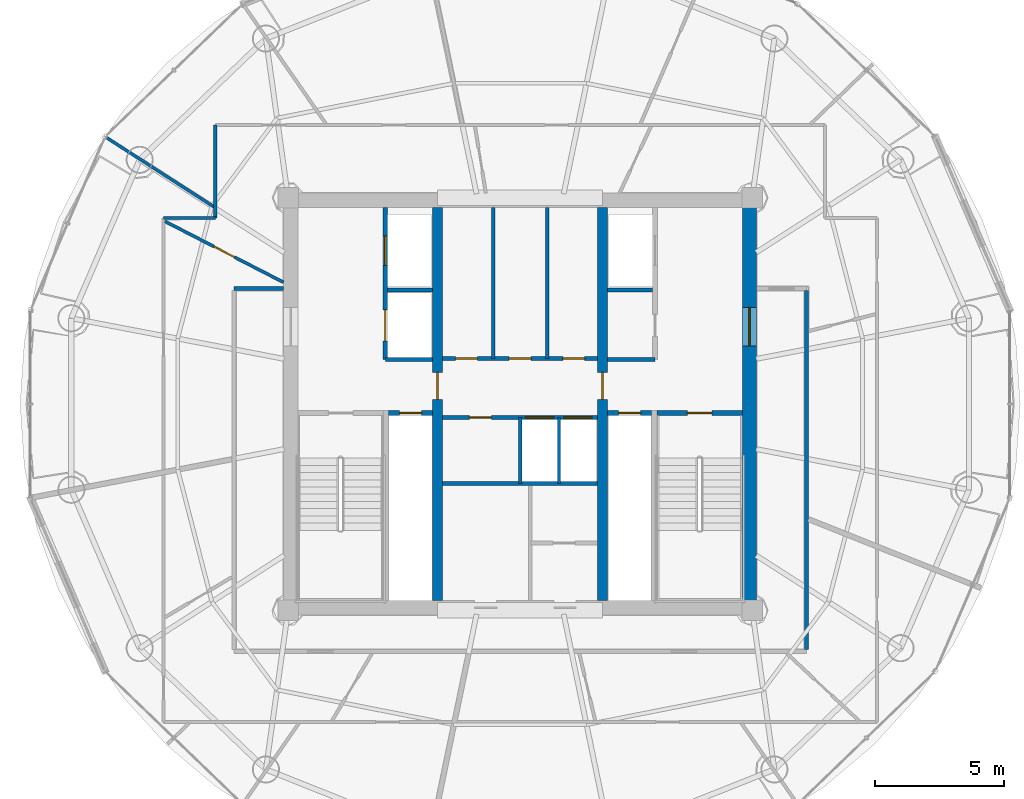
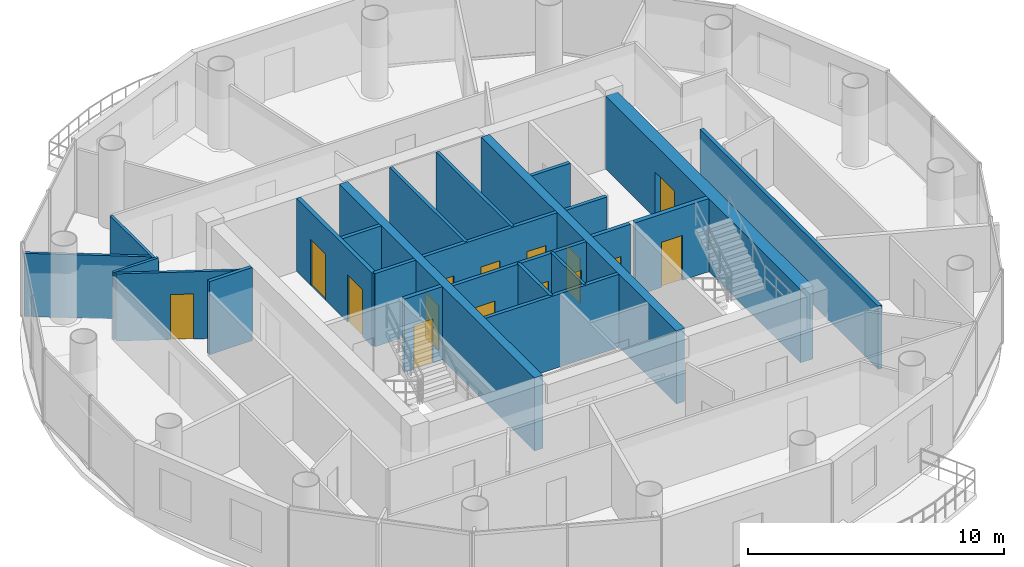
# One storey, part 18 of 23: 24 walls, 15 doors, 15 openings.
"""IFC4 building model written with IfcOpenShell, lengths in metres."""

from ifc_helpers import new_model, si_unit, direction, frame, frame_2d, origin, place, context, subcontext, project, spatial, rectangle, extrude, source, transform, mapped, material, layer, layer_set, type_object, element, fill, save


model = new_model("IFC4")

# Units and contexts
model_context = context("Model", 3, precision=1e-05, world=origin(), true_north=direction((-0.2419218956, 0.970295726276)))
body_context = subcontext(model_context, "Body", "Model", "MODEL_VIEW")
ifc_project = project(units=[si_unit("LENGTHUNIT", "METRE"), si_unit("AREAUNIT", "SQUARE_METRE"), si_unit("VOLUMEUNIT", "CUBIC_METRE"), si_unit("PLANEANGLEUNIT", "RADIAN"), si_unit("MASSUNIT", "GRAM", prefix="KILO")], contexts=[model_context])

# Site, building, storey
site_placement = place(None, origin())
site = spatial("IfcSite", under=ifc_project, at=site_placement, CompositionType="ELEMENT")
building_placement = place(site_placement, origin())
building = spatial("IfcBuilding", under=site, at=building_placement, Name="Cobrevalo Terracotta Tower", CompositionType="ELEMENT")
storey_placement = place(building_placement, frame((0.0, 0.0, 255.699951171875)))
storey = spatial("IfcBuildingStorey", under=building, at=storey_placement, Name="L67", CompositionType="ELEMENT", Elevation=255.699951171875)

# Wall, opening, door
ifc_material_1 = material(Name="Concrete C50", Category="concrete")
ifc_layer_1 = layer(ifc_material_1, 0.550048828125)
ifc_layer_set_1 = layer_set([ifc_layer_1], Name="Concrete C50")
wall_type_1 = type_object("IfcWallType", Name="Core shear wall 550 mm Concrete C50", PredefinedType="SHEAR", material=ifc_layer_set_1)
wall_1_placement = place(storey_placement, frame((46.89990234375, 19.175048828125, 0.0), z_axis=(0.0, 0.0, 1.0), x_axis=(0.0, 1.0, 0.0)))
wall_1 = element("IfcWall", 1, at=wall_1_placement, inside=storey, type_object=wall_type_1, Name="L67 east core shear wall", PredefinedType="SHEAR", context=body_context, shape_type="SweptSolid", body=[
    extrude(rectangle(XDim=15.25, YDim=0.550048828125, at=frame_2d((7.625, 0.0))), origin(), (0.0, 0.0, 1.0), 3.489990234375),
])
opening_1_placement = place(wall_1_placement, frame((9.875, 0.0, 0.0)))
opening_1 = element("IfcOpeningElement", 2, at=opening_1_placement, cuts=wall_1, Name="Opening ID-14", PredefinedType="OPENING", context=body_context, shape_type="SweptSolid", body=[
    extrude(rectangle(XDim=1.5, YDim=2.199951171875, at=frame_2d((0.75, 1.10009765625))), frame((0.0, 0.28515625, 0.0), z_axis=(0.0, -1.0, 0.0), x_axis=(1.0, 0.0, 0.0)), (0.0, 0.0, 1.0), 0.570068359375),
])
ifc_material_2 = material(Name="Galvanized fire-rated steel", Category="steel")
door_type_1 = type_object("IfcDoorType", Name="Core cross-lobby double fire door 1500x2200 EI 90", OperationType="NOTDEFINED", PredefinedType="DOOR", material=ifc_material_2)
shared_shape_1 = source(origin(), body_context, "Body", "SweptSolid", [
    extrude(rectangle(XDim=1.5, YDim=2.199951171875, at=frame_2d((0.75, 1.10009765625))), frame((0.0, 0.02490234375, 0.0), z_axis=(0.0, -1.0, 0.0), x_axis=(1.0, 0.0, 0.0)), (0.0, 0.0, 1.0), 0.050048828125),
])
door_1_placement = place(opening_1_placement, frame((1.5, 0.0, 0.0), z_axis=(0.0, 0.0, 1.0), x_axis=(-1.0, 0.0, 0.0)))
door_1 = element("IfcDoor", 3, at=door_1_placement, inside=storey, type_object=door_type_1, Name="L67 east firefighting lobby entrance door", OperationType="DOUBLE_DOOR_SINGLE_SWING", OverallHeight=2.199951171875, OverallWidth=1.5, PredefinedType="DOOR", context=body_context, shape_type="MappedRepresentation", body=[
    mapped(shared_shape_1, transform((0.0, 0.0, 0.0), scale=1.0)),
])
fill(opening_1, door_1)

# Walls
ifc_material_3 = material(Name="Gypsum board on steel stud", Category="steel")
ifc_layer_2 = layer(ifc_material_3, 0.159912109375)
ifc_layer_set_2 = layer_set([ifc_layer_2], Name="Gypsum board on steel stud")
wall_type_2 = type_object("IfcWallType", Name="Fire-rated corridor acoustic partition wall 160 mm", PredefinedType="PARTITIONING", material=ifc_layer_set_2)
wall_2_placement = place(storey_placement, frame((32.860107421875, 31.219970703125, 0.0), z_axis=(0.0, 0.0, 1.0), x_axis=(1.0, 0.0, 0.0)))
element("IfcWall", 4, at=wall_2_placement, inside=storey, type_object=wall_type_2, Name="L67 interior partition IW-L67-FF1-M", PredefinedType="PARTITIONING", context=body_context, shape_type="SweptSolid", body=[
    extrude(rectangle(XDim=1.75, YDim=0.159912109375, at=frame_2d((0.875, 0.0))), origin(), (0.0, 0.0, 1.0), 3.489990234375),
])
wall_3_placement = place(storey_placement, frame((32.77001953125, 28.52001953125, 0.0), z_axis=(0.0, 0.0, 1.0), x_axis=(1.0, 0.0, 0.0)))
element("IfcWall", 5, at=wall_3_placement, inside=storey, type_object=wall_type_2, Name="L67 interior partition IW-L67-FF1-S", PredefinedType="PARTITIONING", context=body_context, shape_type="SweptSolid", body=[
    extrude(rectangle(XDim=1.840087890625, YDim=0.159912109375, at=frame_2d((0.919921875, 0.0))), origin(), (0.0, 0.0, 1.0), 3.489990234375),
])
wall_4_placement = place(storey_placement, frame((41.389892578125, 31.219970703125, 0.0), z_axis=(0.0, 0.0, 1.0), x_axis=(1.0, 0.0, 0.0)))
element("IfcWall", 6, at=wall_4_placement, inside=storey, type_object=wall_type_2, Name="L67 interior partition IW-L67-FF2-M", PredefinedType="PARTITIONING", context=body_context, shape_type="SweptSolid", body=[
    extrude(rectangle(XDim=1.75, YDim=0.159912109375, at=frame_2d((0.875, 0.0))), origin(), (0.0, 0.0, 1.0), 3.489990234375),
])
wall_5_placement = place(storey_placement, frame((41.389892578125, 28.52001953125, 0.0), z_axis=(0.0, 0.0, 1.0), x_axis=(1.0, 0.0, 0.0)))
element("IfcWall", 7, at=wall_5_placement, inside=storey, type_object=wall_type_2, Name="L67 interior partition IW-L67-FF2-S", PredefinedType="PARTITIONING", context=body_context, shape_type="SweptSolid", body=[
    extrude(rectangle(XDim=1.840087890625, YDim=0.159912109375, at=frame_2d((0.919921875, 0.0))), origin(), (0.0, 0.0, 1.0), 3.489990234375),
])

# Wall, openings, doors
wall_6_placement = place(storey_placement, frame((34.989990234375, 28.56005859375, 0.0), z_axis=(0.0, 0.0, 1.0), x_axis=(1.0, 0.0, 0.0)))
wall_6 = element("IfcWall", 8, at=wall_6_placement, inside=storey, type_object=wall_type_2, Name="L67 interior partition IW-L67-LB-S", PredefinedType="PARTITIONING", context=body_context, shape_type="SweptSolid", body=[
    extrude(rectangle(XDim=6.02001953125, YDim=0.159912109375, at=frame_2d((3.010009765625, 0.0))), origin(), (0.0, 0.0, 1.0), 3.489990234375),
])
opening_2_placement = place(wall_6_placement, frame((0.5048828125, 0.0, 0.0)))
opening_2 = element("IfcOpeningElement", 9, at=opening_2_placement, cuts=wall_6, Name="Opening ID-22", PredefinedType="OPENING", context=body_context, shape_type="SweptSolid", body=[
    extrude(rectangle(XDim=0.85009765625, YDim=2.10009765625, at=frame_2d((0.425048828125, 1.050048828125))), frame((0.0, 0.08984375, 0.0), z_axis=(0.0, -1.0, 0.0), x_axis=(1.0, 0.0, 0.0)), (0.0, 0.0, 1.0), 0.179931640625),
])
opening_3_placement = place(wall_6_placement, frame((2.580078125, 0.0, 0.0)))
opening_3 = element("IfcOpeningElement", 10, at=opening_3_placement, cuts=wall_6, Name="Opening ID-07", PredefinedType="OPENING", context=body_context, shape_type="SweptSolid", body=[
    extrude(rectangle(XDim=0.860107421875, YDim=2.10009765625, at=frame_2d((0.43017578125, 1.050048828125))), frame((0.0, 0.08984375, 0.0), z_axis=(0.0, -1.0, 0.0), x_axis=(1.0, 0.0, 0.0)), (0.0, 0.0, 1.0), 0.179931640625),
])
opening_4_placement = place(wall_6_placement, frame((4.6650390625, 0.0, 0.0)))
opening_4 = element("IfcOpeningElement", 11, at=opening_4_placement, cuts=wall_6, Name="Opening ID-22", PredefinedType="OPENING", context=body_context, shape_type="SweptSolid", body=[
    extrude(rectangle(XDim=0.85009765625, YDim=2.10009765625, at=frame_2d((0.425048828125, 1.050048828125))), frame((0.0, 0.08984375, 0.0), z_axis=(0.0, -1.0, 0.0), x_axis=(1.0, 0.0, 0.0)), (0.0, 0.0, 1.0), 0.179931640625),
])
ifc_material_4 = material(Name="Powder-coated steel", Category="steel")
door_type_2 = type_object("IfcDoorType", Name="Riser shaft & meter closet fire access door 850x2100 EI 60", OperationType="NOTDEFINED", PredefinedType="DOOR", material=ifc_material_4)
shared_shape_2 = source(origin(), body_context, "Body", "SweptSolid", [
    extrude(rectangle(XDim=0.85009765625, YDim=2.10009765625, at=frame_2d((0.425048828125, 1.050048828125))), frame((0.0, 0.02490234375, 0.0), z_axis=(0.0, -1.0, 0.0), x_axis=(1.0, 0.0, 0.0)), (0.0, 0.0, 1.0), 0.050048828125),
])
door_2_placement = place(opening_2_placement, origin())
door_2 = element("IfcDoor", 12, at=door_2_placement, inside=storey, type_object=door_type_2, Name="L67 core service door Housekeeping Linen Store", OperationType="SINGLE_SWING_LEFT", OverallHeight=2.10009765625, OverallWidth=0.85009765625, PredefinedType="DOOR", context=body_context, shape_type="MappedRepresentation", body=[
    mapped(shared_shape_2, transform((0.0, 0.0, 0.0), scale=1.0)),
])
fill(opening_2, door_2)
door_3_placement = place(opening_4_placement, origin())
door_3 = element("IfcDoor", 13, at=door_3_placement, inside=storey, type_object=door_type_2, Name="L67 core service door Floor BMS Mechanical Plant", OperationType="SINGLE_SWING_LEFT", OverallHeight=2.10009765625, OverallWidth=0.85009765625, PredefinedType="DOOR", context=body_context, shape_type="MappedRepresentation", body=[
    mapped(shared_shape_2, transform((0.0, 0.0, 0.0), scale=1.0)),
])
fill(opening_4, door_3)
ifc_material_5 = material(Name="Fire-rated moisture-sealed timber", Category="wood")
door_type_3 = type_object("IfcDoorType", Name="Core & podium fire-rated accessible WC door 860x2100 EI 60", OperationType="NOTDEFINED", PredefinedType="DOOR", material=ifc_material_5)
shared_shape_3 = source(origin(), body_context, "Body", "SweptSolid", [
    extrude(rectangle(XDim=0.860107421875, YDim=2.10009765625, at=frame_2d((0.43017578125, 1.050048828125))), frame((0.0, 0.02490234375, 0.0), z_axis=(0.0, -1.0, 0.0), x_axis=(1.0, 0.0, 0.0)), (0.0, 0.0, 1.0), 0.050048828125),
])
door_4_placement = place(opening_3_placement, origin())
door_4 = element("IfcDoor", 14, at=door_4_placement, inside=storey, type_object=door_type_3, Name="L67 core service door Floor Service Toilet WC", OperationType="SINGLE_SWING_RIGHT", OverallHeight=2.10009765625, OverallWidth=0.860107421875, PredefinedType="DOOR", context=body_context, shape_type="MappedRepresentation", body=[
    mapped(shared_shape_3, transform((0.0, 0.0, 0.0), scale=1.0)),
])
fill(opening_3, door_4)

wall_7_placement = place(storey_placement, frame((34.989990234375, 26.280029296875, 0.0), z_axis=(0.0, 0.0, 1.0), x_axis=(1.0, 0.0, 0.0)))
wall_7 = element("IfcWall", 15, at=wall_7_placement, inside=storey, type_object=wall_type_2, Name="L67 interior partition IW-L67-MB-N", PredefinedType="PARTITIONING", context=body_context, shape_type="SweptSolid", body=[
    extrude(rectangle(XDim=6.02001953125, YDim=0.159912109375, at=frame_2d((3.010009765625, 0.0))), origin(), (0.0, 0.0, 1.0), 3.489990234375),
])
opening_5_placement = place(wall_7_placement, frame((1.044921875, 0.0, 0.0)))
opening_5 = element("IfcOpeningElement", 16, at=opening_5_placement, cuts=wall_7, Name="Opening ID-22", PredefinedType="OPENING", context=body_context, shape_type="SweptSolid", body=[
    extrude(rectangle(XDim=0.85009765625, YDim=2.10009765625, at=frame_2d((0.425048828125, 1.050048828125))), frame((0.0, 0.08984375, 0.0), z_axis=(0.0, -1.0, 0.0), x_axis=(1.0, 0.0, 0.0)), (0.0, 0.0, 1.0), 0.179931640625),
])
opening_6_placement = place(wall_7_placement, frame((3.215087890625, 0.0, 0.0)))
opening_6 = element("IfcOpeningElement", 17, at=opening_6_placement, cuts=wall_7, Name="Opening LD-01", PredefinedType="OPENING", context=body_context, shape_type="SweptSolid", body=[
    extrude(rectangle(XDim=1.10009765625, YDim=2.199951171875, at=frame_2d((0.550048828125, 1.10009765625))), frame((0.0, 0.08984375, 0.0), z_axis=(0.0, -1.0, 0.0), x_axis=(1.0, 0.0, 0.0)), (0.0, 0.0, 1.0), 0.179931640625),
])
opening_7_placement = place(wall_7_placement, frame((4.695068359375, 0.0, 0.0)))
opening_7 = element("IfcOpeningElement", 18, at=opening_7_placement, cuts=wall_7, Name="Opening LD-01", PredefinedType="OPENING", context=body_context, shape_type="SweptSolid", body=[
    extrude(rectangle(XDim=1.10009765625, YDim=2.199951171875, at=frame_2d((0.550048828125, 1.10009765625))), frame((0.0, 0.08984375, 0.0), z_axis=(0.0, -1.0, 0.0), x_axis=(1.0, 0.0, 0.0)), (0.0, 0.0, 1.0), 0.179931640625),
])
door_5_placement = place(opening_5_placement, frame((0.85009765625, 0.0, 0.0), z_axis=(0.0, 0.0, 1.0), x_axis=(-1.0, 0.0, 0.0)))
door_5 = element("IfcDoor", 19, at=door_5_placement, inside=storey, type_object=door_type_2, Name="L67 core room door High-Rise Core Linen and Equipment Store", OperationType="SINGLE_SWING_RIGHT", OverallHeight=2.10009765625, OverallWidth=0.85009765625, PredefinedType="DOOR", context=body_context, shape_type="MappedRepresentation", body=[
    mapped(shared_shape_2, transform((0.0, 0.0, 0.0), scale=1.0)),
])
fill(opening_5, door_5)
ifc_material_6 = material(Name="Brushed stainless steel", Category="steel")
door_type_4 = type_object("IfcDoorType", Name="Passenger lift landing bi-parting sliding door 1100x2200 EI 90", OperationType="DOUBLE_DOOR_SLIDING", PredefinedType="DOOR", material=ifc_material_6)
shared_shape_4 = source(origin(), body_context, "Body", "SweptSolid", [
    extrude(rectangle(XDim=1.10009765625, YDim=2.199951171875, at=frame_2d((0.550048828125, 1.10009765625))), frame((0.0, 0.02490234375, 0.0), z_axis=(0.0, -1.0, 0.0), x_axis=(1.0, 0.0, 0.0)), (0.0, 0.0, 1.0), 0.050048828125),
])
door_6_placement = place(opening_6_placement, origin())
door_6 = element("IfcDoor", 20, at=door_6_placement, inside=storey, type_object=door_type_4, Name="L67 lift landing door PL-H1", OperationType="DOUBLE_DOOR_SLIDING", OverallHeight=2.199951171875, OverallWidth=1.10009765625, PredefinedType="DOOR", context=body_context, shape_type="MappedRepresentation", body=[
    mapped(shared_shape_4, transform((0.0, 0.0, 0.0), scale=1.0)),
])
fill(opening_6, door_6)
door_7_placement = place(opening_7_placement, origin())
door_7 = element("IfcDoor", 21, at=door_7_placement, inside=storey, type_object=door_type_4, Name="L67 lift landing door PL-H2", OperationType="DOUBLE_DOOR_SLIDING", OverallHeight=2.199951171875, OverallWidth=1.10009765625, PredefinedType="DOOR", context=body_context, shape_type="MappedRepresentation", body=[
    mapped(shared_shape_4, transform((0.0, 0.0, 0.0), scale=1.0)),
])
fill(opening_7, door_7)

# Walls
wall_8_placement = place(storey_placement, frame((34.989990234375, 23.719970703125, 0.0), z_axis=(0.0, 0.0, 1.0), x_axis=(1.0, 0.0, 0.0)))
element("IfcWall", 22, at=wall_8_placement, inside=storey, type_object=wall_type_2, Name="L67 interior partition IW-L67-MB-S", PredefinedType="PARTITIONING", context=body_context, shape_type="SweptSolid", body=[
    extrude(rectangle(XDim=6.02001953125, YDim=0.159912109375, at=frame_2d((3.010009765625, 0.0))), origin(), (0.0, 0.0, 1.0), 3.489990234375),
])
wall_9_placement = place(storey_placement, frame((26.89501953125, 31.280029296875, 0.0), z_axis=(0.0, 0.0, 1.0), x_axis=(1.0, 0.0, 0.0)))
element("IfcWall", 23, at=wall_9_placement, inside=storey, type_object=wall_type_2, Name="L67 interior partition IW-L67-COR-WN-CAP", PredefinedType="PARTITIONING", context=body_context, shape_type="SweptSolid", body=[
    extrude(rectangle(XDim=1.929931640625, YDim=0.159912109375, at=frame_2d((0.96484375, 0.0))), origin(), (0.0, 0.0, 1.0), 3.489990234375),
])
wall_10_placement = place(storey_placement, frame((49.10498046875, 17.27490234375, 0.0), z_axis=(0.0, 0.0, 1.0), x_axis=(0.0, 1.0, 0.0)))
element("IfcWall", 24, at=wall_10_placement, inside=storey, type_object=wall_type_2, Name="L67 interior partition IW-L67-COR-E", PredefinedType="PARTITIONING", context=body_context, shape_type="SweptSolid", body=[
    extrude(rectangle(XDim=13.925048828125, YDim=0.159912109375, at=frame_2d((6.96240234375, 0.0))), origin(), (0.0, 0.0, 1.0), 3.01513671875),
])

# Wall, opening, door
ifc_layer_3 = layer(ifc_material_3, 0.179931640625)
ifc_layer_set_3 = layer_set([ifc_layer_3], Name="Gypsum board on steel stud")
wall_type_3 = type_object("IfcWallType", Name="Fire-rated shaft & lobby acoustic partition wall 180 mm", PredefinedType="PARTITIONING", material=ifc_layer_set_3)
wall_11_placement = place(storey_placement, frame((32.89990234375, 26.449951171875, 0.0), z_axis=(0.0, 0.0, 1.0), x_axis=(1.0, 0.0, 0.0)))
wall_11 = element("IfcWall", 25, at=wall_11_placement, inside=storey, type_object=wall_type_3, Name="L67 interior partition IW-L67-RSW-N", PredefinedType="PARTITIONING", context=body_context, shape_type="SweptSolid", body=[
    extrude(rectangle(XDim=1.710205078125, YDim=0.179931640625, at=frame_2d((0.85498046875, 0.0))), origin(), (0.0, 0.0, 1.0), 3.489990234375),
])
opening_8_placement = place(wall_11_placement, frame((0.429931640625, 0.0, 0.0)))
opening_8 = element("IfcOpeningElement", 26, at=opening_8_placement, cuts=wall_11, Name="Opening ID-22", PredefinedType="OPENING", context=body_context, shape_type="SweptSolid", body=[
    extrude(rectangle(XDim=0.85009765625, YDim=2.10009765625, at=frame_2d((0.425048828125, 1.050048828125))), frame((0.0, 0.10009765625, 0.0), z_axis=(0.0, -1.0, 0.0), x_axis=(1.0, 0.0, 0.0)), (0.0, 0.0, 1.0), 0.199951171875),
])
door_8_placement = place(opening_8_placement, origin())
door_8 = element("IfcDoor", 27, at=door_8_placement, inside=storey, type_object=door_type_2, Name="L67 riser access door RSW", OperationType="SINGLE_SWING_LEFT", OverallHeight=2.10009765625, OverallWidth=0.85009765625, PredefinedType="DOOR", context=body_context, shape_type="MappedRepresentation", body=[
    mapped(shared_shape_2, transform((0.0, 0.0, 0.0), scale=1.0)),
])
fill(opening_8, door_8)

wall_12_placement = place(storey_placement, frame((41.389892578125, 26.449951171875, 0.0), z_axis=(0.0, 0.0, 1.0), x_axis=(1.0, 0.0, 0.0)))
wall_12 = element("IfcWall", 28, at=wall_12_placement, inside=storey, type_object=wall_type_3, Name="L67 interior partition IW-L67-RSE-N", PredefinedType="PARTITIONING", context=body_context, shape_type="SweptSolid", body=[
    extrude(rectangle(XDim=1.710205078125, YDim=0.179931640625, at=frame_2d((0.85498046875, 0.0))), origin(), (0.0, 0.0, 1.0), 3.489990234375),
])
opening_9_placement = place(wall_12_placement, frame((0.429931640625, 0.0, 0.0)))
opening_9 = element("IfcOpeningElement", 29, at=opening_9_placement, cuts=wall_12, Name="Opening ID-22", PredefinedType="OPENING", context=body_context, shape_type="SweptSolid", body=[
    extrude(rectangle(XDim=0.85009765625, YDim=2.10009765625, at=frame_2d((0.425048828125, 1.050048828125))), frame((0.0, 0.10009765625, 0.0), z_axis=(0.0, -1.0, 0.0), x_axis=(1.0, 0.0, 0.0)), (0.0, 0.0, 1.0), 0.199951171875),
])
door_9_placement = place(opening_9_placement, origin())
door_9 = element("IfcDoor", 30, at=door_9_placement, inside=storey, type_object=door_type_2, Name="L67 riser access door RSE", OperationType="SINGLE_SWING_RIGHT", OverallHeight=2.10009765625, OverallWidth=0.85009765625, PredefinedType="DOOR", context=body_context, shape_type="MappedRepresentation", body=[
    mapped(shared_shape_2, transform((0.0, 0.0, 0.0), scale=1.0)),
])
fill(opening_9, door_9)

# Wall, openings, doors
wall_13_placement = place(storey_placement, frame((32.77001953125, 28.52001953125, 0.0), z_axis=(0.0, 0.0, 1.0), x_axis=(0.0, 1.0, 0.0)))
wall_13 = element("IfcWall", 31, at=wall_13_placement, inside=storey, type_object=wall_type_3, Name="L67 interior partition IW-L67-FF1-W", PredefinedType="PARTITIONING", context=body_context, shape_type="SweptSolid", body=[
    extrude(rectangle(XDim=5.905029296875, YDim=0.179931640625, at=frame_2d((2.95263671875, 0.0))), origin(), (0.0, 0.0, 1.0), 3.489990234375),
])
opening_10_placement = place(wall_13_placement, frame((3.655029296875, 0.0, 0.0)))
opening_10 = element("IfcOpeningElement", 32, at=opening_10_placement, cuts=wall_13, Name="Opening LD-02", PredefinedType="OPENING", context=body_context, shape_type="SweptSolid", body=[
    extrude(rectangle(XDim=1.14990234375, YDim=2.199951171875, at=frame_2d((0.574951171875, 1.10009765625))), frame((0.0, 0.10009765625, 0.0), z_axis=(0.0, -1.0, 0.0), x_axis=(1.0, 0.0, 0.0)), (0.0, 0.0, 1.0), 0.199951171875),
])
opening_11_placement = place(wall_13_placement, frame((0.72998046875, 0.0, 0.0)))
opening_11 = element("IfcOpeningElement", 33, at=opening_11_placement, cuts=wall_13, Name="Opening LD-03", PredefinedType="OPENING", context=body_context, shape_type="SweptSolid", body=[
    extrude(rectangle(XDim=1.199951171875, YDim=2.25, at=frame_2d((0.60009765625, 1.125))), frame((0.0, 0.10009765625, 0.0), z_axis=(0.0, -1.0, 0.0), x_axis=(1.0, 0.0, 0.0)), (0.0, 0.0, 1.0), 0.199951171875),
])
door_type_5 = type_object("IfcDoorType", Name="Firefighting lift landing bi-parting sliding door 1150x2200 EI 120", OperationType="DOUBLE_DOOR_SLIDING", PredefinedType="DOOR", material=ifc_material_6)
shared_shape_5 = source(origin(), body_context, "Body", "SweptSolid", [
    extrude(rectangle(XDim=1.14990234375, YDim=2.199951171875, at=frame_2d((0.574951171875, 1.10009765625))), frame((0.0, 0.02490234375, 0.0), z_axis=(0.0, -1.0, 0.0), x_axis=(1.0, 0.0, 0.0)), (0.0, 0.0, 1.0), 0.050048828125),
])
door_10_placement = place(opening_10_placement, origin())
door_10 = element("IfcDoor", 34, at=door_10_placement, inside=storey, type_object=door_type_5, Name="L67 lift landing door FF-1", OperationType="DOUBLE_DOOR_SLIDING", OverallHeight=2.199951171875, OverallWidth=1.14990234375, PredefinedType="DOOR", context=body_context, shape_type="MappedRepresentation", body=[
    mapped(shared_shape_5, transform((0.0, 0.0, 0.0), scale=1.0)),
])
fill(opening_10, door_10)
door_type_6 = type_object("IfcDoorType", Name="Service lift landing bi-parting sliding door 1200x2250 EI 120", OperationType="DOUBLE_DOOR_SLIDING", PredefinedType="DOOR", material=ifc_material_6)
shared_shape_6 = source(origin(), body_context, "Body", "SweptSolid", [
    extrude(rectangle(XDim=1.199951171875, YDim=2.25, at=frame_2d((0.60009765625, 1.125))), frame((0.0, 0.02490234375, 0.0), z_axis=(0.0, -1.0, 0.0), x_axis=(1.0, 0.0, 0.0)), (0.0, 0.0, 1.0), 0.050048828125),
])
door_11_placement = place(opening_11_placement, origin())
door_11 = element("IfcDoor", 35, at=door_11_placement, inside=storey, type_object=door_type_6, Name="L67 lift landing door SV-1", OperationType="DOUBLE_DOOR_SLIDING", OverallHeight=2.25, OverallWidth=1.199951171875, PredefinedType="DOOR", context=body_context, shape_type="MappedRepresentation", body=[
    mapped(shared_shape_6, transform((0.0, 0.0, 0.0), scale=1.0)),
])
fill(opening_11, door_11)

# Wall
ifc_material_7 = material(Name="Autoclaved aerated concrete block", Category="concrete")
ifc_layer_4 = layer(ifc_material_7, 0.1201171875)
ifc_layer_set_4 = layer_set([ifc_layer_4], Name="Autoclaved aerated concrete block")
wall_type_4 = type_object("IfcWallType", Name="Fire-rated wet-room & core service partition 120 mm", PredefinedType="PARTITIONING", material=ifc_layer_set_4)
wall_14_placement = place(storey_placement, frame((39.5, 23.719970703125, 0.0), z_axis=(0.0, 0.0, 1.0), x_axis=(0.0, 1.0, 0.0)))
element("IfcWall", 36, at=wall_14_placement, inside=storey, type_object=wall_type_4, Name="L67 interior partition IW-L67-MB-D3", PredefinedType="PARTITIONING", context=body_context, shape_type="SweptSolid", body=[
    extrude(rectangle(XDim=2.56005859375, YDim=0.1201171875, at=frame_2d((1.280029296875, 0.0))), origin(), (0.0, 0.0, 1.0), 3.489990234375),
])

# Wall, opening, door
ifc_layer_5 = layer(ifc_material_1, 0.3798828125)
ifc_layer_set_5 = layer_set([ifc_layer_5], Name="Concrete C50")
wall_type_5 = type_object("IfcWallType", Name="Internal core shear web wall 380 mm Concrete C50", PredefinedType="SHEAR", material=ifc_layer_set_5)
wall_15_placement = place(storey_placement, frame((34.800048828125, 19.175048828125, 0.0), z_axis=(0.0, 0.0, 1.0), x_axis=(0.0, 1.0, 0.0)))
wall_15 = element("IfcWall", 37, at=wall_15_placement, inside=storey, type_object=wall_type_5, Name="L67 internal core shear wall WEB-W", PredefinedType="SHEAR", context=body_context, shape_type="SweptSolid", body=[
    extrude(rectangle(XDim=15.25, YDim=0.3798828125, at=frame_2d((7.625, 0.0))), origin(), (0.0, 0.0, 1.0), 3.489990234375),
])
opening_12_placement = place(wall_15_placement, frame((7.800048828125, 0.0, 0.0)))
opening_12 = element("IfcOpeningElement", 38, at=opening_12_placement, cuts=wall_15, Name="Opening ID-11", PredefinedType="OPENING", context=body_context, shape_type="SweptSolid", body=[
    extrude(rectangle(XDim=1.050048828125, YDim=2.14990234375, at=frame_2d((0.52490234375, 1.074951171875))), frame((0.0, 0.199951171875, 0.0), z_axis=(0.0, -1.0, 0.0), x_axis=(1.0, 0.0, 0.0)), (0.0, 0.0, 1.0), 0.39990234375),
])
door_type_7 = type_object("IfcDoorType", Name="Core concourse cross fire door 1050x2150 EI 90", OperationType="NOTDEFINED", PredefinedType="DOOR", material=ifc_material_2)
shared_shape_7 = source(origin(), body_context, "Body", "SweptSolid", [
    extrude(rectangle(XDim=1.050048828125, YDim=2.14990234375, at=frame_2d((0.52490234375, 1.074951171875))), frame((0.0, 0.02490234375, 0.0), z_axis=(0.0, -1.0, 0.0), x_axis=(1.0, 0.0, 0.0)), (0.0, 0.0, 1.0), 0.050048828125),
])
door_12_placement = place(opening_12_placement, origin())
door_12 = element("IfcDoor", 39, at=door_12_placement, inside=storey, type_object=door_type_7, Name="L67 west core concourse cross door", OperationType="SINGLE_SWING_LEFT", OverallHeight=2.14990234375, OverallWidth=1.050048828125, PredefinedType="DOOR", context=body_context, shape_type="MappedRepresentation", body=[
    mapped(shared_shape_7, transform((0.0, 0.0, 0.0), scale=1.0)),
])
fill(opening_12, door_12)

wall_16_placement = place(storey_placement, frame((41.199951171875, 19.175048828125, 0.0), z_axis=(0.0, 0.0, 1.0), x_axis=(0.0, 1.0, 0.0)))
wall_16 = element("IfcWall", 40, at=wall_16_placement, inside=storey, type_object=wall_type_5, Name="L67 internal core shear wall WEB-E", PredefinedType="SHEAR", context=body_context, shape_type="SweptSolid", body=[
    extrude(rectangle(XDim=15.25, YDim=0.3798828125, at=frame_2d((7.625, 0.0))), origin(), (0.0, 0.0, 1.0), 3.489990234375),
])
opening_13_placement = place(wall_16_placement, frame((7.800048828125, 0.0, 0.0)))
opening_13 = element("IfcOpeningElement", 41, at=opening_13_placement, cuts=wall_16, Name="Opening ID-11", PredefinedType="OPENING", context=body_context, shape_type="SweptSolid", body=[
    extrude(rectangle(XDim=1.050048828125, YDim=2.14990234375, at=frame_2d((0.52490234375, 1.074951171875))), frame((0.0, 0.199951171875, 0.0), z_axis=(0.0, -1.0, 0.0), x_axis=(1.0, 0.0, 0.0)), (0.0, 0.0, 1.0), 0.39990234375),
])
door_13_placement = place(opening_13_placement, frame((1.050048828125, 0.0, 0.0), z_axis=(0.0, 0.0, 1.0), x_axis=(-1.0, 0.0, 0.0)))
door_13 = element("IfcDoor", 42, at=door_13_placement, inside=storey, type_object=door_type_7, Name="L67 east core concourse cross door", OperationType="SINGLE_SWING_RIGHT", OverallHeight=2.14990234375, OverallWidth=1.050048828125, PredefinedType="DOOR", context=body_context, shape_type="MappedRepresentation", body=[
    mapped(shared_shape_7, transform((0.0, 0.0, 0.0), scale=1.0)),
])
fill(opening_13, door_13)

# Walls
ifc_layer_6 = layer(ifc_material_7, 0.139892578125)
ifc_layer_set_6 = layer_set([ifc_layer_6], Name="Autoclaved aerated concrete block")
wall_type_6 = type_object("IfcWallType", Name="Moisture-resistant wet-room & core service partition 140 mm", PredefinedType="PARTITIONING", material=ifc_layer_set_6)
for number, where, z_axis, x_axis, name in (
    (43, (36.949951171875, 28.56005859375, 0.0), (0.0, 0.0, 1.0), (0.0, 1.0, 0.0), "L67 interior partition IW-L67-KVN-A"),
    (44, (39.050048828125, 28.56005859375, 0.0), (0.0, 0.0, 1.0), (0.0, 1.0, 0.0), "L67 interior partition IW-L67-KVN-B"),
):
    element("IfcWall", number, at=place(storey_placement, frame(where, z_axis=z_axis, x_axis=x_axis)), inside=storey, type_object=wall_type_6, Name=name, PredefinedType="PARTITIONING", context=body_context, shape_type="SweptSolid", body=[
        extrude(rectangle(XDim=5.864990234375, YDim=0.139892578125, at=frame_2d((2.9326171875, 0.0))), origin(), (0.0, 0.0, 1.0), 3.489990234375),
    ])
wall_17_placement = place(storey_placement, frame((38.0, 23.719970703125, 0.0), z_axis=(0.0, 0.0, 1.0), x_axis=(0.0, 1.0, 0.0)))
element("IfcWall", 45, at=wall_17_placement, inside=storey, type_object=wall_type_6, Name="L67 interior partition IW-L67-MB-D2", PredefinedType="PARTITIONING", context=body_context, shape_type="SweptSolid", body=[
    extrude(rectangle(XDim=2.56005859375, YDim=0.139892578125, at=frame_2d((1.280029296875, 0.0))), origin(), (0.0, 0.0, 1.0), 3.489990234375),
])
ifc_layer_7 = layer(ifc_material_3, 0.1201171875)
ifc_layer_set_7 = layer_set([ifc_layer_7], Name="Gypsum board on steel stud")
wall_type_7 = type_object("IfcWallType", Name="Residential internal acoustic stud partition 120 mm", PredefinedType="PARTITIONING", material=ifc_layer_set_7)
wall_18_placement = place(storey_placement, frame((24.1650390625, 34.010009765625, 0.0), z_axis=(0.0, 0.0, 1.0), x_axis=(1.0, 0.0, 0.0)))
element("IfcWall", 46, at=wall_18_placement, inside=storey, type_object=wall_type_7, Name="L67 interior partition IW-L67-U1-RING1_0", PredefinedType="PARTITIONING", context=body_context, shape_type="SweptSolid", body=[
    extrude(rectangle(XDim=2.010009765625, YDim=0.1201171875, at=frame_2d((1.0048828125, 0.0))), origin(), (0.0, 0.0, 1.0), 3.208984375),
])
wall_19_placement = place(storey_placement, frame((26.175048828125, 34.010009765625, 0.0), z_axis=(0.0, 0.0, 1.0), x_axis=(0.0, 1.0, 0.0)))
element("IfcWall", 47, at=wall_19_placement, inside=storey, type_object=wall_type_7, Name="L67 interior partition IW-L67-U1-RING2_0", PredefinedType="PARTITIONING", context=body_context, shape_type="SweptSolid", body=[
    extrude(rectangle(XDim=3.614990234375, YDim=0.1201171875, at=frame_2d((1.8076171875, 0.0))), origin(), (0.0, 0.0, 1.0), 3.01513671875),
])
wall_20_placement = place(storey_placement, frame((26.122802734375, 34.44970703125, 0.0), z_axis=(0.0, 0.0, 1.0), x_axis=(-0.840703033126, 0.541496454367, 0.0)))
element("IfcWall", 48, at=wall_20_placement, inside=storey, type_object=wall_type_7, Name="L67 interior partition IW-L67-U1-ORAD3", PredefinedType="PARTITIONING", context=body_context, shape_type="SweptSolid", body=[
    extrude(rectangle(XDim=4.95849609375, YDim=0.1201171875, at=frame_2d((2.479248046875, 0.0))), origin(), (0.0, 0.0, 1.0), 3.01513671875),
])

# Wall, opening, door
wall_21_placement = place(storey_placement, frame((28.824951171875, 31.518310546875, 0.0), z_axis=(0.0, 0.0, 1.0), x_axis=(-0.889305882583, 0.457312854842, 0.0)))
wall_21 = element("IfcWall", 49, at=wall_21_placement, inside=storey, type_object=wall_type_7, Name="L67 interior partition IW-L67-U1-IRAD4", PredefinedType="PARTITIONING", context=body_context, shape_type="SweptSolid", body=[
    extrude(rectangle(XDim=5.177978515625, YDim=0.1201171875, at=frame_2d((2.5888671875, 0.0))), origin(), (0.0, 0.0, 1.0), 3.208984375),
])
opening_14_placement = place(wall_21_placement, frame((2.138916015625, 0.0, 0.0)))
opening_14 = element("IfcOpeningElement", 50, at=opening_14_placement, cuts=wall_21, Name="Opening ID-12", PredefinedType="OPENING", context=body_context, shape_type="SweptSolid", body=[
    extrude(rectangle(XDim=0.89990234375, YDim=2.14990234375, at=frame_2d((0.449951171875, 1.074951171875))), frame((0.0, 0.070068359375, 0.0), z_axis=(0.0, -1.0, 0.0), x_axis=(1.0, 0.0, 0.0)), (0.0, 0.0, 1.0), 0.14013671875),
])
ifc_material_8 = material(Name="Engineered timber", Category="wood")
door_type_8 = type_object("IfcDoorType", Name="Internal residence & suite timber door 900x2150", OperationType="NOTDEFINED", PredefinedType="DOOR", material=ifc_material_8)
shared_shape_8 = source(origin(), body_context, "Body", "SweptSolid", [
    extrude(rectangle(XDim=0.89990234375, YDim=2.14990234375, at=frame_2d((0.449951171875, 1.074951171875))), frame((0.0, 0.02490234375, 0.0), z_axis=(0.0, -1.0, 0.0), x_axis=(1.0, 0.0, 0.0)), (0.0, 0.0, 1.0), 0.050048828125),
])
door_14_placement = place(opening_14_placement, origin())
door_14 = element("IfcDoor", 51, at=door_14_placement, inside=storey, type_object=door_type_8, Name="Flat L67A Private Cinema Lounge internal door", OperationType="SINGLE_SWING_LEFT", OverallHeight=2.14990234375, OverallWidth=0.89990234375, PredefinedType="DOOR", context=body_context, shape_type="MappedRepresentation", body=[
    mapped(shared_shape_8, transform((0.0, 0.0, 0.0), scale=1.0)),
])
fill(opening_14, door_14)

ifc_layer_8 = layer(ifc_material_1, 0.199951171875)
ifc_layer_set_8 = layer_set([ifc_layer_8], Name="Concrete C50")
wall_type_8 = type_object("IfcWallType", Name="Structural core & podium stair-shaft RC wall 200 mm Concrete C50", PredefinedType="SOLIDWALL", material=ifc_layer_set_8)
wall_22_placement = place(storey_placement, frame((43.304931640625, 26.449951171875, 0.0), z_axis=(0.0, 0.0, 1.0), x_axis=(1.0, 0.0, 0.0)))
wall_22 = element("IfcWall", 52, at=wall_22_placement, inside=storey, type_object=wall_type_8, Name="L67 ST-2 north structural shaft wall", PredefinedType="SOLIDWALL", context=body_context, shape_type="SweptSolid", body=[
    extrude(rectangle(XDim=3.320068359375, YDim=0.199951171875, at=frame_2d((1.66015625, 0.0))), origin(), (0.0, 0.0, 1.0), 3.489990234375),
])
opening_15_placement = place(wall_22_placement, frame((1.18505859375, 0.0, 0.0)))
opening_15 = element("IfcOpeningElement", 53, at=opening_15_placement, cuts=wall_22, Name="Opening ID-04", PredefinedType="OPENING", context=body_context, shape_type="SweptSolid", body=[
    extrude(rectangle(XDim=0.949951171875, YDim=2.14990234375, at=frame_2d((0.47509765625, 1.074951171875))), frame((0.0, 0.10986328125, 0.0), z_axis=(0.0, -1.0, 0.0), x_axis=(1.0, 0.0, 0.0)), (0.0, 0.0, 1.0), 0.219970703125),
])
door_type_9 = type_object("IfcDoorType", Name="Stair & firefighting lobby fire door 950x2150 EI 90", OperationType="NOTDEFINED", PredefinedType="DOOR", material=ifc_material_2)
shared_shape_9 = source(origin(), body_context, "Body", "SweptSolid", [
    extrude(rectangle(XDim=0.949951171875, YDim=2.14990234375, at=frame_2d((0.47509765625, 1.074951171875))), frame((0.0, 0.02490234375, 0.0), z_axis=(0.0, -1.0, 0.0), x_axis=(1.0, 0.0, 0.0)), (0.0, 0.0, 1.0), 0.050048828125),
])
door_15_placement = place(opening_15_placement, frame((0.949951171875, 0.0, 0.0), z_axis=(0.0, 0.0, 1.0), x_axis=(-1.0, 0.0, 0.0)))
door_15 = element("IfcDoor", 54, at=door_15_placement, inside=storey, type_object=door_type_9, Name="L67 protected stair ST2 fire door", OperationType="SINGLE_SWING_RIGHT", OverallHeight=2.14990234375, OverallWidth=0.949951171875, PredefinedType="DOOR", context=body_context, shape_type="MappedRepresentation", body=[
    mapped(shared_shape_9, transform((0.0, 0.0, 0.0), scale=1.0)),
])
fill(opening_15, door_15)

save(model, "model.ifc")
